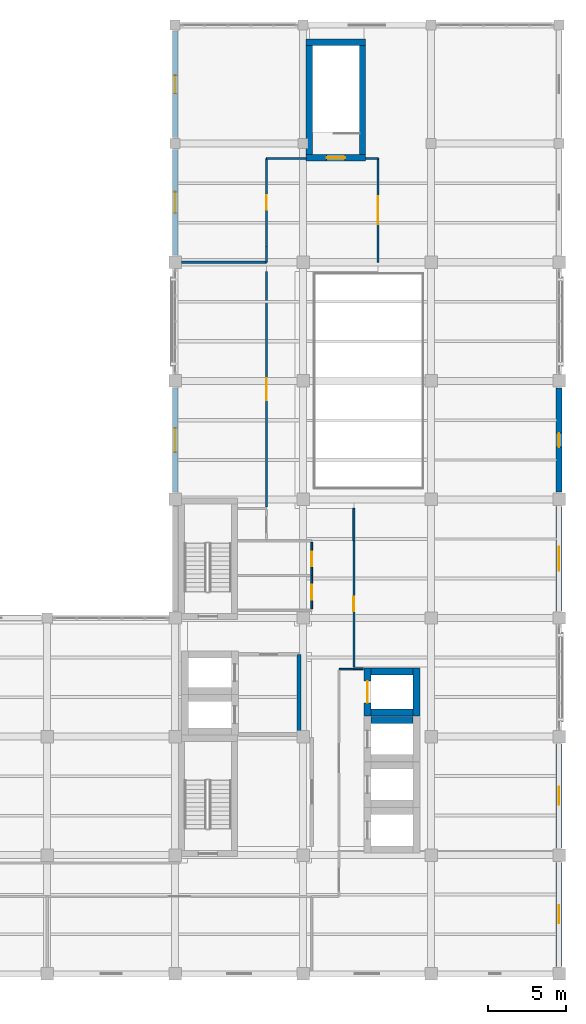
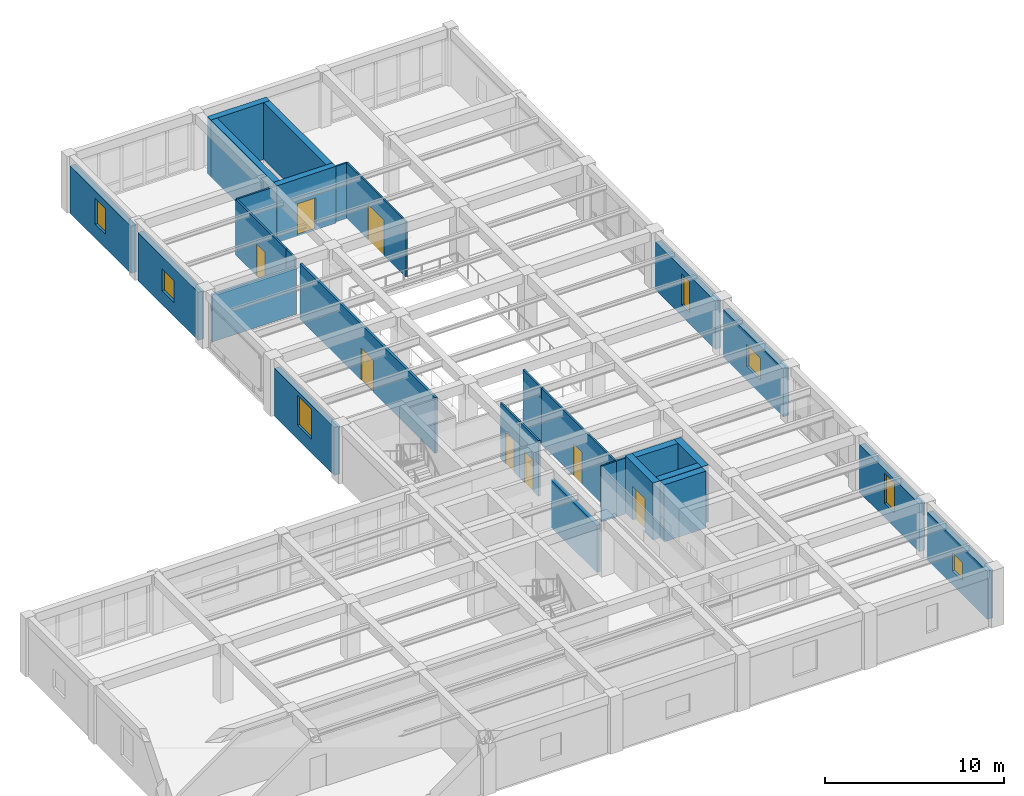
# One storey, part 9 of 15: 30 walls, 8 doors, 7 windows, 15 openings.
"""IFC4 building model written with IfcOpenShell, lengths in metres."""

from ifc_helpers import new_model, si_unit, direction, frame, frame_2d, origin, place, context, subcontext, project, spatial, rectangle, extrude, material, layer, layer_set, type_object, element, fill, save


model = new_model("IFC4")

# Units and contexts
model_context = context("Model", 3, precision=1e-05, world=origin(), true_north=direction((0.0, 1.0)))
body_context = subcontext(model_context, "Body", "Model", "MODEL_VIEW")
ifc_project = project(units=[si_unit("LENGTHUNIT", "METRE"), si_unit("AREAUNIT", "SQUARE_METRE"), si_unit("VOLUMEUNIT", "CUBIC_METRE"), si_unit("PLANEANGLEUNIT", "RADIAN"), si_unit("MASSUNIT", "GRAM", prefix="KILO")], contexts=[model_context])

# Site, building, storey
site_placement = place(None, origin())
site = spatial("IfcSite", under=ifc_project, at=site_placement, CompositionType="ELEMENT")
building_placement = place(site_placement, origin())
building = spatial("IfcBuilding", under=site, at=building_placement, Name="Qandaris Square Conservatory and Botanical Centre", CompositionType="ELEMENT")
storey_placement = place(building_placement, frame((0.0, 0.0, 32.39990234375)))
storey = spatial("IfcBuildingStorey", under=building, at=storey_placement, Name="L07", CompositionType="ELEMENT", Elevation=32.39990234375)

# Wall, opening, door
ifc_material_1 = material(Name="Gypsum Plasterboard", Category="gypsum")
ifc_layer_1 = layer(ifc_material_1, 0.14990234375)
ifc_layer_set_1 = layer_set([ifc_layer_1], Name="Gypsum Plasterboard")
wall_type_1 = type_object("IfcWallType", Name="Acoustic Laboratory Partition 150mm", PredefinedType="PARTITIONING", material=ifc_layer_set_1)
wall_1_placement = place(storey_placement, frame((145.050048828125, 46.510009765625, 0.0), z_axis=(0.0, 0.0, 1.0), x_axis=(0.0, 1.0, 0.0)))
wall_1 = element("IfcWall", 1, at=wall_1_placement, inside=storey, type_object=wall_type_1, Name="Interior Partition IW-L07-0283", PredefinedType="PARTITIONING", context=body_context, shape_type="SweptSolid", body=[
    extrude(rectangle(XDim=15.090087890625, YDim=0.14990234375, at=frame_2d((7.544921875, 0.0))), origin(), (0.0, 0.0, 1.0), 3.80517578125),
])
opening_1_placement = place(wall_1_placement, frame((6.844970703125, 0.0, 0.0)))
opening_1 = element("IfcOpeningElement", 2, at=opening_1_placement, cuts=wall_1, Name="Opening D-LAB1", PredefinedType="OPENING", context=body_context, shape_type="SweptSolid", body=[
    extrude(rectangle(XDim=1.39990234375, YDim=2.199951171875, at=frame_2d((0.699951171875, 1.10009765625))), frame((0.0, 0.0869140625, 0.0), z_axis=(0.0, -1.0, 0.0), x_axis=(1.0, 0.0, 0.0)), (0.0, 0.0, 1.0), 0.173828125),
])
ifc_material_2 = material(Name="Engineered Oak Timber", Category="wood")
door_type_1 = type_object("IfcDoorType", Name="Research Laboratory Leaf-and-Half Door 1400x2200", OperationType="DOUBLE_DOOR_SINGLE_SWING", PredefinedType="DOOR", material=ifc_material_2)
door_1_placement = place(opening_1_placement, frame((1.39990234375, 0.0, 0.0), z_axis=(0.0, 0.0, 1.0), x_axis=(-1.0, 0.0, 0.0)))
door_1 = element("IfcDoor", 3, at=door_1_placement, inside=storey, type_object=door_type_1, Name="DR-0250 Isotope Biogeochemistry Specimen Prep Room Door", OperationType="DOUBLE_DOOR_SINGLE_SWING", OverallHeight=2.199951171875, OverallWidth=1.39990234375, PredefinedType="DOOR", context=body_context, shape_type="SweptSolid", body=[
    extrude(rectangle(XDim=1.39990234375, YDim=2.199951171875, at=frame_2d((0.699951171875, 1.10009765625))), frame((0.0, 0.02490234375, 0.0), z_axis=(0.0, -1.0, 0.0), x_axis=(1.0, 0.0, 0.0)), (0.0, 0.0, 1.0), 0.050048828125),
])
fill(opening_1, door_1)

# Wall
wall_2_placement = place(storey_placement, frame((139.6201171875, 62.199951171875, 0.0), z_axis=(0.0, 0.0, 1.0), x_axis=(1.0, 0.0, 0.0)))
element("IfcWall", 4, at=wall_2_placement, inside=storey, type_object=wall_type_1, Name="Interior Partition IW-L07-0291", PredefinedType="PARTITIONING", context=body_context, shape_type="SweptSolid", body=[
    extrude(rectangle(XDim=5.429931640625, YDim=0.14990234375, at=frame_2d((2.71484375, 0.0))), origin(), (0.0, 0.0, 1.0), 3.22509765625),
])

# Wall, opening, window
ifc_material_3 = material(Name="Precast concrete C40/50", Category="concrete")
ifc_layer_2 = layer(ifc_material_3, 0.360107421875)
ifc_layer_set_2 = layer_set([ifc_layer_2], Name="Precast concrete C40/50")
wall_type_2 = type_object("IfcWallType", Name="Architectural Precast Cladding Wall 360mm", PredefinedType="SOLIDWALL", material=ifc_layer_set_2)
wall_3_placement = place(storey_placement, frame((163.800048828125, 17.06005859375, 0.0), z_axis=(0.0, 0.0, 1.0), x_axis=(0.0, 1.0, 0.0)))
wall_3 = element("IfcWall", 5, at=wall_3_placement, inside=storey, type_object=wall_type_2, Name="Exterior Wall EW-TWR-L07-2-1", PredefinedType="SOLIDWALL", context=body_context, shape_type="SweptSolid", body=[
    extrude(rectangle(XDim=6.679931640625, YDim=0.360107421875, at=frame_2d((3.33984375, 0.0))), origin(), (0.0, 0.0, 1.0), 3.275146484375),
])
opening_2_placement = place(wall_3_placement, frame((2.764892578125, 0.0, 0.949951171875)))
opening_2 = element("IfcOpeningElement", 6, at=opening_2_placement, cuts=wall_3, Name="Opening WN-17", PredefinedType="OPENING", context=body_context, shape_type="SweptSolid", body=[
    extrude(rectangle(XDim=1.14990234375, YDim=1.25, at=frame_2d((0.574951171875, 0.625))), frame((0.0, 0.19189453125, 0.0), z_axis=(0.0, -1.0, 0.0), x_axis=(1.0, 0.0, 0.0)), (0.0, 0.0, 1.0), 0.384033203125),
])
ifc_material_4 = material(Name="Tempered Low-E Glass", Category="glass")
window_type_1 = type_object("IfcWindowType", Name="Solar Control Window 1150x1250", PartitioningType="SINGLE_PANEL", PredefinedType="WINDOW", material=ifc_material_4)
window_1_placement = place(opening_2_placement, origin())
window_1 = element("IfcWindow", 7, at=window_1_placement, inside=storey, type_object=window_type_1, Name="Window EW-TWR-L07-2-1", OverallHeight=1.25, OverallWidth=1.14990234375, PartitioningType="SINGLE_PANEL", PredefinedType="WINDOW", context=body_context, shape_type="SweptSolid", body=[
    extrude(rectangle(XDim=1.14990234375, YDim=1.25, at=frame_2d((0.574951171875, 0.625))), frame((0.0, 0.030029296875, 0.0), z_axis=(0.0, -1.0, 0.0), x_axis=(1.0, 0.0, 0.0)), (0.0, 0.0, 1.0), 0.06005859375),
])
fill(opening_2, window_1)

wall_4_placement = place(storey_placement, frame((163.800048828125, 24.659912109375, 0.0), z_axis=(0.0, 0.0, 1.0), x_axis=(0.0, 1.0, 0.0)))
wall_4 = element("IfcWall", 8, at=wall_4_placement, inside=storey, type_object=wall_type_2, Name="Exterior Wall EW-TWR-L07-2-2", PredefinedType="SOLIDWALL", context=body_context, shape_type="SweptSolid", body=[
    extrude(rectangle(XDim=6.68017578125, YDim=0.360107421875, at=frame_2d((3.340087890625, 0.0))), origin(), (0.0, 0.0, 1.0), 3.275146484375),
])
opening_3_placement = place(wall_4_placement, frame((2.764892578125, 0.0, 0.949951171875)))
opening_3 = element("IfcOpeningElement", 9, at=opening_3_placement, cuts=wall_4, Name="Opening WN-20", PredefinedType="OPENING", context=body_context, shape_type="SweptSolid", body=[
    extrude(rectangle(XDim=1.14990234375, YDim=2.050048828125, at=frame_2d((0.574951171875, 1.02490234375))), frame((0.0, 0.19189453125, 0.0), z_axis=(0.0, -1.0, 0.0), x_axis=(1.0, 0.0, 0.0)), (0.0, 0.0, 1.0), 0.384033203125),
])
window_type_2 = type_object("IfcWindowType", Name="Solar Control Window 1150x2050", PartitioningType="SINGLE_PANEL", PredefinedType="WINDOW", material=ifc_material_4)
window_2_placement = place(opening_3_placement, origin())
window_2 = element("IfcWindow", 10, at=window_2_placement, inside=storey, type_object=window_type_2, Name="Window EW-TWR-L07-2-2", OverallHeight=2.050048828125, OverallWidth=1.14990234375, PartitioningType="SINGLE_PANEL", PredefinedType="WINDOW", context=body_context, shape_type="SweptSolid", body=[
    extrude(rectangle(XDim=1.14990234375, YDim=2.050048828125, at=frame_2d((0.574951171875, 1.02490234375))), frame((0.0, 0.030029296875, 0.0), z_axis=(0.0, -1.0, 0.0), x_axis=(1.0, 0.0, 0.0)), (0.0, 0.0, 1.0), 0.06005859375),
])
fill(opening_3, window_2)

wall_5_placement = place(storey_placement, frame((163.800048828125, 39.860107421875, 0.0), z_axis=(0.0, 0.0, 1.0), x_axis=(0.0, 1.0, 0.0)))
wall_5 = element("IfcWall", 11, at=wall_5_placement, inside=storey, type_object=wall_type_2, Name="Exterior Wall EW-TWR-L07-2-4", PredefinedType="SOLIDWALL", context=body_context, shape_type="SweptSolid", body=[
    extrude(rectangle(XDim=6.679931640625, YDim=0.360107421875, at=frame_2d((3.33984375, 0.0))), origin(), (0.0, 0.0, 1.0), 3.275146484375),
])
opening_4_placement = place(wall_5_placement, frame((2.56494140625, 0.0, 0.949951171875)))
opening_4 = element("IfcOpeningElement", 12, at=opening_4_placement, cuts=wall_5, Name="Opening WN-26", PredefinedType="OPENING", context=body_context, shape_type="SweptSolid", body=[
    extrude(rectangle(XDim=1.550048828125, YDim=1.5, at=frame_2d((0.77490234375, 0.75))), frame((0.0, 0.19189453125, 0.0), z_axis=(0.0, -1.0, 0.0), x_axis=(1.0, 0.0, 0.0)), (0.0, 0.0, 1.0), 0.384033203125),
])
window_type_3 = type_object("IfcWindowType", Name="Solar Control Window 1550x1500", PartitioningType="DOUBLE_PANEL_VERTICAL", PredefinedType="WINDOW", material=ifc_material_4)
window_3_placement = place(opening_4_placement, origin())
window_3 = element("IfcWindow", 13, at=window_3_placement, inside=storey, type_object=window_type_3, Name="Window EW-TWR-L07-2-4", OverallHeight=1.5, OverallWidth=1.550048828125, PartitioningType="DOUBLE_PANEL_VERTICAL", PredefinedType="WINDOW", context=body_context, shape_type="SweptSolid", body=[
    extrude(rectangle(XDim=1.550048828125, YDim=1.5, at=frame_2d((0.77490234375, 0.75))), frame((0.0, 0.030029296875, 0.0), z_axis=(0.0, -1.0, 0.0), x_axis=(1.0, 0.0, 0.0)), (0.0, 0.0, 1.0), 0.06005859375),
])
fill(opening_4, window_3)

wall_6_placement = place(storey_placement, frame((163.800048828125, 47.4599609375, 0.0), z_axis=(0.0, 0.0, 1.0), x_axis=(0.0, 1.0, 0.0)))
wall_6 = element("IfcWall", 14, at=wall_6_placement, inside=storey, type_object=wall_type_2, Name="Exterior Wall EW-TWR-L07-2-5", PredefinedType="SOLIDWALL", context=body_context, shape_type="SweptSolid", body=[
    extrude(rectangle(XDim=6.679931640625, YDim=0.360107421875, at=frame_2d((3.33984375, 0.0))), origin(), (0.0, 0.0, 1.0), 3.275146484375),
])
opening_5_placement = place(wall_6_placement, frame((2.889892578125, 0.0, 0.75)))
opening_5 = element("IfcOpeningElement", 15, at=opening_5_placement, cuts=wall_6, Name="Opening WN-01", PredefinedType="OPENING", context=body_context, shape_type="SweptSolid", body=[
    extrude(rectangle(XDim=0.89990234375, YDim=2.10009765625, at=frame_2d((0.449951171875, 1.050048828125))), frame((0.0, 0.19189453125, 0.0), z_axis=(0.0, -1.0, 0.0), x_axis=(1.0, 0.0, 0.0)), (0.0, 0.0, 1.0), 0.384033203125),
])
window_type_4 = type_object("IfcWindowType", Name="Deep-Set Solar Slot Window 900x2100", PartitioningType="SINGLE_PANEL", PredefinedType="WINDOW", material=ifc_material_4)
window_4_placement = place(opening_5_placement, origin())
window_4 = element("IfcWindow", 16, at=window_4_placement, inside=storey, type_object=window_type_4, Name="Window EW-TWR-L07-2-5", OverallHeight=2.10009765625, OverallWidth=0.89990234375, PartitioningType="SINGLE_PANEL", PredefinedType="WINDOW", context=body_context, shape_type="SweptSolid", body=[
    extrude(rectangle(XDim=0.89990234375, YDim=2.10009765625, at=frame_2d((0.449951171875, 1.050048828125))), frame((0.0, 0.030029296875, 0.0), z_axis=(0.0, -1.0, 0.0), x_axis=(1.0, 0.0, 0.0)), (0.0, 0.0, 1.0), 0.06005859375),
])
fill(opening_5, window_4)

wall_7_placement = place(storey_placement, frame((139.199951171875, 77.014892578125, 0.0), z_axis=(0.0, 0.0, 1.0), x_axis=(0.0, -1.0, 0.0)))
wall_7 = element("IfcWall", 17, at=wall_7_placement, inside=storey, type_object=wall_type_2, Name="Exterior Wall EW-TWR-L07-4-1", PredefinedType="SOLIDWALL", context=body_context, shape_type="SweptSolid", body=[
    extrude(rectangle(XDim=6.829833984375, YDim=0.360107421875, at=frame_2d((3.4150390625, 0.0))), origin(), (0.0, 0.0, 1.0), 3.22509765625),
])
opening_6_placement = place(wall_7_placement, frame((2.840087890625, 0.0, 0.949951171875)))
opening_6 = element("IfcOpeningElement", 18, at=opening_6_placement, cuts=wall_7, Name="Opening WN-19", PredefinedType="OPENING", context=body_context, shape_type="SweptSolid", body=[
    extrude(rectangle(XDim=1.14990234375, YDim=1.75, at=frame_2d((0.574951171875, 0.875))), frame((0.0, 0.19189453125, 0.0), z_axis=(0.0, -1.0, 0.0), x_axis=(1.0, 0.0, 0.0)), (0.0, 0.0, 1.0), 0.384033203125),
])
window_type_5 = type_object("IfcWindowType", Name="Solar Control Window 1150x1750", PartitioningType="SINGLE_PANEL", PredefinedType="WINDOW", material=ifc_material_4)
window_5_placement = place(opening_6_placement, origin())
window_5 = element("IfcWindow", 19, at=window_5_placement, inside=storey, type_object=window_type_5, Name="Window EW-TWR-L07-4-1", OverallHeight=1.75, OverallWidth=1.14990234375, PartitioningType="SINGLE_PANEL", PredefinedType="WINDOW", context=body_context, shape_type="SweptSolid", body=[
    extrude(rectangle(XDim=1.14990234375, YDim=1.75, at=frame_2d((0.574951171875, 0.875))), frame((0.0, 0.030029296875, 0.0), z_axis=(0.0, -1.0, 0.0), x_axis=(1.0, 0.0, 0.0)), (0.0, 0.0, 1.0), 0.06005859375),
])
fill(opening_6, window_5)

wall_8_placement = place(storey_placement, frame((139.199951171875, 69.4150390625, 0.0), z_axis=(0.0, 0.0, 1.0), x_axis=(0.0, -1.0, 0.0)))
wall_8 = element("IfcWall", 20, at=wall_8_placement, inside=storey, type_object=wall_type_2, Name="Exterior Wall EW-TWR-L07-4-2", PredefinedType="SOLIDWALL", context=body_context, shape_type="SweptSolid", body=[
    extrude(rectangle(XDim=6.755126953125, YDim=0.360107421875, at=frame_2d((3.37744140625, 0.0))), origin(), (0.0, 0.0, 1.0), 3.275146484375),
])
opening_7_placement = place(wall_8_placement, frame((2.702392578125, 0.0, 0.949951171875)))
opening_7 = element("IfcOpeningElement", 21, at=opening_7_placement, cuts=wall_8, Name="Opening WN-22", PredefinedType="OPENING", context=body_context, shape_type="SweptSolid", body=[
    extrude(rectangle(XDim=1.35009765625, YDim=1.5, at=frame_2d((0.675048828125, 0.75))), frame((0.0, 0.19189453125, 0.0), z_axis=(0.0, -1.0, 0.0), x_axis=(1.0, 0.0, 0.0)), (0.0, 0.0, 1.0), 0.384033203125),
])
window_type_6 = type_object("IfcWindowType", Name="Solar Control Window 1350x1500", PartitioningType="SINGLE_PANEL", PredefinedType="WINDOW", material=ifc_material_4)
window_6_placement = place(opening_7_placement, origin())
window_6 = element("IfcWindow", 22, at=window_6_placement, inside=storey, type_object=window_type_6, Name="Window EW-TWR-L07-4-2", OverallHeight=1.5, OverallWidth=1.35009765625, PartitioningType="SINGLE_PANEL", PredefinedType="WINDOW", context=body_context, shape_type="SweptSolid", body=[
    extrude(rectangle(XDim=1.35009765625, YDim=1.5, at=frame_2d((0.675048828125, 0.75))), frame((0.0, 0.030029296875, 0.0), z_axis=(0.0, -1.0, 0.0), x_axis=(1.0, 0.0, 0.0)), (0.0, 0.0, 1.0), 0.06005859375),
])
fill(opening_7, window_6)

wall_9_placement = place(storey_placement, frame((139.199951171875, 54.139892578125, 0.0), z_axis=(0.0, 0.0, 1.0), x_axis=(0.0, -1.0, 0.0)))
wall_9 = element("IfcWall", 23, at=wall_9_placement, inside=storey, type_object=wall_type_2, Name="Exterior Wall EW-TWR-L07-4-4", PredefinedType="SOLIDWALL", context=body_context, shape_type="SweptSolid", body=[
    extrude(rectangle(XDim=6.679931640625, YDim=0.360107421875, at=frame_2d((3.33984375, 0.0))), origin(), (0.0, 0.0, 1.0), 3.275146484375),
])
opening_8_placement = place(wall_9_placement, frame((2.56494140625, 0.0, 0.949951171875)))
opening_8 = element("IfcOpeningElement", 24, at=opening_8_placement, cuts=wall_9, Name="Opening WN-28", PredefinedType="OPENING", context=body_context, shape_type="SweptSolid", body=[
    extrude(rectangle(XDim=1.550048828125, YDim=2.050048828125, at=frame_2d((0.77490234375, 1.02490234375))), frame((0.0, 0.19189453125, 0.0), z_axis=(0.0, -1.0, 0.0), x_axis=(1.0, 0.0, 0.0)), (0.0, 0.0, 1.0), 0.384033203125),
])
window_type_7 = type_object("IfcWindowType", Name="Solar Control Window 1550x2050", PartitioningType="DOUBLE_PANEL_VERTICAL", PredefinedType="WINDOW", material=ifc_material_4)
window_7_placement = place(opening_8_placement, origin())
window_7 = element("IfcWindow", 25, at=window_7_placement, inside=storey, type_object=window_type_7, Name="Window EW-TWR-L07-4-4", OverallHeight=2.050048828125, OverallWidth=1.550048828125, PartitioningType="DOUBLE_PANEL_VERTICAL", PredefinedType="WINDOW", context=body_context, shape_type="SweptSolid", body=[
    extrude(rectangle(XDim=1.550048828125, YDim=2.050048828125, at=frame_2d((0.77490234375, 1.02490234375))), frame((0.0, 0.030029296875, 0.0), z_axis=(0.0, -1.0, 0.0), x_axis=(1.0, 0.0, 0.0)), (0.0, 0.0, 1.0), 0.06005859375),
])
fill(opening_8, window_7)

# Walls
ifc_material_5 = material(Name="Concrete C40/50", Category="concrete")
ifc_layer_3 = layer(ifc_material_5, 0.25)
ifc_layer_set_3 = layer_set([ifc_layer_3], Name="Concrete C40/50")
wall_type_3 = type_object("IfcWallType", Name="Firefighting Lobby Compartment Wall 250mm", PredefinedType="SOLIDWALL", material=ifc_layer_set_3)
wall_10_placement = place(storey_placement, frame((147.125, 31.925048828125, 0.0), z_axis=(0.0, 0.0, 1.0), x_axis=(0.0, 1.0, 0.0)))
element("IfcWall", 26, at=wall_10_placement, inside=storey, type_object=wall_type_3, Name="Firefighting Lobby Wall East (L07)", PredefinedType="SOLIDWALL", context=body_context, shape_type="SweptSolid", body=[
    extrude(rectangle(XDim=5.14990234375, YDim=0.25, at=frame_2d((2.574951171875, 0.0))), origin(), (0.0, 0.0, 1.0), 3.22509765625),
])
ifc_layer_4 = layer(ifc_material_4, 0.10009765625)
ifc_layer_set_4 = layer_set([ifc_layer_4], Name="Tempered Low-E Glass")
wall_type_4 = type_object("IfcWallType", Name="Framed Acoustic Glazed Gallery Screen 100mm", PredefinedType="PARTITIONING", material=ifc_layer_set_4)
wall_11_placement = place(storey_placement, frame((149.699951171875, 36.125, 0.0), z_axis=(0.0, 0.0, 1.0), x_axis=(1.0, 0.0, 0.0)))
element("IfcWall", 27, at=wall_11_placement, inside=storey, type_object=wall_type_4, Name="Interior Partition IW-L07-0268", PredefinedType="PARTITIONING", context=body_context, shape_type="SweptSolid", body=[
    extrude(rectangle(XDim=0.949951171875, YDim=0.10009765625, at=frame_2d((0.47509765625, 0.0))), origin(), (0.0, 0.0, 1.0), 3.80517578125),
])
wall_12_placement = place(storey_placement, frame((151.39990234375, 68.85009765625, 0.0), z_axis=(0.0, 0.0, 1.0), x_axis=(1.0, 0.0, 0.0)))
element("IfcWall", 28, at=wall_12_placement, inside=storey, type_object=wall_type_4, Name="Interior Partition IW-L07-0287", PredefinedType="PARTITIONING", context=body_context, shape_type="SweptSolid", body=[
    extrude(rectangle(XDim=0.800048828125, YDim=0.10009765625, at=frame_2d((0.39990234375, 0.0))), origin(), (0.0, 0.0, 1.0), 3.80517578125),
])

# Wall, opening, door
wall_13_placement = place(storey_placement, frame((152.199951171875, 68.85009765625, 0.0), z_axis=(0.0, 0.0, 1.0), x_axis=(0.0, -1.0, 0.0)))
wall_13 = element("IfcWall", 29, at=wall_13_placement, inside=storey, type_object=wall_type_4, Name="Interior Partition IW-L07-0288", PredefinedType="PARTITIONING", context=body_context, shape_type="SweptSolid", body=[
    extrude(rectangle(XDim=6.650146484375, YDim=0.10009765625, at=frame_2d((3.3251953125, 0.0))), origin(), (0.0, 0.0, 1.0), 3.80517578125),
])
opening_9_placement = place(wall_13_placement, frame((2.425048828125, 0.0, 0.0)))
opening_9 = element("IfcOpeningElement", 30, at=opening_9_placement, cuts=wall_13, Name="Opening D-GL1", PredefinedType="OPENING", context=body_context, shape_type="SweptSolid", body=[
    extrude(rectangle(XDim=1.800048828125, YDim=2.39990234375, at=frame_2d((0.89990234375, 1.199951171875))), frame((0.0, 0.06201171875, 0.0), z_axis=(0.0, -1.0, 0.0), x_axis=(1.0, 0.0, 0.0)), (0.0, 0.0, 1.0), 0.1240234375),
])
ifc_material_6 = material(Name="Anodised Aluminium", Category="aluminium")
door_type_2 = type_object("IfcDoorType", Name="Visitor Gallery Glazed Double Door 1800x2400", OperationType="DOUBLE_DOOR_SINGLE_SWING", PredefinedType="DOOR", material=ifc_material_6)
door_2_placement = place(opening_9_placement, frame((1.800048828125, 0.0, 0.0), z_axis=(0.0, 0.0, 1.0), x_axis=(-1.0, 0.0, 0.0)))
door_2 = element("IfcDoor", 31, at=door_2_placement, inside=storey, type_object=door_type_2, Name="DR-0247 North Terrace Lounge L07 Door", OperationType="DOUBLE_DOOR_SINGLE_SWING", OverallHeight=2.39990234375, OverallWidth=1.800048828125, PredefinedType="DOOR", context=body_context, shape_type="SweptSolid", body=[
    extrude(rectangle(XDim=1.800048828125, YDim=2.39990234375, at=frame_2d((0.89990234375, 1.199951171875))), frame((0.0, 0.02490234375, 0.0), z_axis=(0.0, -1.0, 0.0), x_axis=(1.0, 0.0, 0.0)), (0.0, 0.0, 1.0), 0.050048828125),
])
fill(opening_9, door_2)

# Walls
ifc_material_7 = material(Name="Concrete C50/60", Category="concrete")
ifc_layer_5 = layer(ifc_material_7, 0.449951171875)
ifc_layer_set_5 = layer_set([ifc_layer_5], Name="Concrete C50/60")
wall_type_5 = type_object("IfcWallType", Name="RC Coupled Core Shear Wall 450mm", PredefinedType="SHEAR", material=ifc_layer_set_5)
for number, where, z_axis, x_axis, name in (
    (32, (151.75, 32.864990234375, 0.0), (0.0, 0.0, 1.0), (1.0, 0.0, 0.0), "Lift PL3 Shaft Wall North (L07)"),
    (33, (151.75, 33.3349609375, 0.0), (0.0, 0.0, 1.0), (1.0, 0.0, 0.0), "Lift GL1 Shaft Wall South (L07)"),
    (34, (151.75, 35.985107421875, 0.0), (0.0, 0.0, 1.0), (1.0, 0.0, 0.0), "Lift GL1 Shaft Wall North (L07)"),
):
    element("IfcWall", number, at=place(storey_placement, frame(where, z_axis=z_axis, x_axis=x_axis)), inside=storey, type_object=wall_type_5, Name=name, PredefinedType="SHEAR", context=body_context, shape_type="SweptSolid", body=[
        extrude(rectangle(XDim=2.699951171875, YDim=0.449951171875, at=frame_2d((1.35009765625, 0.0))), origin(), (0.0, 0.0, 1.0), 3.89013671875),
    ])

# Wall, opening, door
wall_14_placement = place(storey_placement, frame((151.52490234375, 33.110107421875, 0.0), z_axis=(0.0, 0.0, 1.0), x_axis=(0.0, 1.0, 0.0)))
wall_14 = element("IfcWall", 35, at=wall_14_placement, inside=storey, type_object=wall_type_5, Name="Lift GL1 Shaft Wall West (L07)", PredefinedType="SHEAR", context=body_context, shape_type="SweptSolid", body=[
    extrude(rectangle(XDim=3.099853515625, YDim=0.449951171875, at=frame_2d((1.5498046875, 0.0))), origin(), (0.0, 0.0, 1.0), 3.89013671875),
])
opening_10_placement = place(wall_14_placement, frame((0.85009765625, 0.0, 0.0)))
opening_10 = element("IfcOpeningElement", 36, at=opening_10_placement, cuts=wall_14, Name="Opening LD-GDS", PredefinedType="OPENING", context=body_context, shape_type="SweptSolid", body=[
    extrude(rectangle(XDim=1.39990234375, YDim=2.300048828125, at=frame_2d((0.699951171875, 1.14990234375))), frame((0.0, 0.23681640625, 0.0), z_axis=(0.0, -1.0, 0.0), x_axis=(1.0, 0.0, 0.0)), (0.0, 0.0, 1.0), 0.473876953125),
])
ifc_material_8 = material(Name="Steel S355", Category="steel")
door_type_3 = type_object("IfcDoorType", Name="Goods & Herbarium Lift Sliding Landing Door 1400x2300", OperationType="DOUBLE_DOOR_SLIDING", PredefinedType="DOOR", material=ifc_material_8)
door_3_placement = place(opening_10_placement, origin())
door_3 = element("IfcDoor", 37, at=door_3_placement, inside=storey, type_object=door_type_3, Name="DR-0264 Lift GL1 Landing Door (L07)", OperationType="DOUBLE_DOOR_SLIDING", OverallHeight=2.300048828125, OverallWidth=1.39990234375, PredefinedType="DOOR", context=body_context, shape_type="SweptSolid", body=[
    extrude(rectangle(XDim=1.39990234375, YDim=2.300048828125, at=frame_2d((0.699951171875, 1.14990234375))), frame((0.0, 0.02490234375, 0.0), z_axis=(0.0, -1.0, 0.0), x_axis=(1.0, 0.0, 0.0)), (0.0, 0.0, 1.0), 0.050048828125),
])
fill(opening_10, door_3)

# Wall
wall_15_placement = place(storey_placement, frame((154.675048828125, 33.110107421875, 0.0), z_axis=(0.0, 0.0, 1.0), x_axis=(0.0, 1.0, 0.0)))
element("IfcWall", 38, at=wall_15_placement, inside=storey, type_object=wall_type_5, Name="Lift GL1 Shaft Wall East (L07)", PredefinedType="SHEAR", context=body_context, shape_type="SweptSolid", body=[
    extrude(rectangle(XDim=3.099853515625, YDim=0.449951171875, at=frame_2d((1.5498046875, 0.0))), origin(), (0.0, 0.0, 1.0), 3.89013671875),
])

# Wall, opening, door
ifc_layer_6 = layer(ifc_material_7, 0.39990234375)
ifc_layer_set_6 = layer_set([ifc_layer_6], Name="Concrete C50/60")
wall_type_6 = type_object("IfcWallType", Name="RC Stair Core Shear Wall 400mm", PredefinedType="SHEAR", material=ifc_layer_set_6)
wall_16_placement = place(storey_placement, frame((147.60009765625, 68.89990234375, 0.0), z_axis=(0.0, 0.0, 1.0), x_axis=(1.0, 0.0, 0.0)))
wall_16 = element("IfcWall", 39, at=wall_16_placement, inside=storey, type_object=wall_type_6, Name="ST-3 Core Shear Wall South (L07)", PredefinedType="SHEAR", context=body_context, shape_type="SweptSolid", body=[
    extrude(rectangle(XDim=3.7998046875, YDim=0.39990234375, at=frame_2d((1.89990234375, 0.0))), origin(), (0.0, 0.0, 1.0), 3.89013671875),
])
opening_11_placement = place(wall_16_placement, frame((1.300048828125, 0.0, 0.0)))
opening_11 = element("IfcOpeningElement", 40, at=opening_11_placement, cuts=wall_16, Name="Opening D-ST1", PredefinedType="OPENING", context=body_context, shape_type="SweptSolid", body=[
    extrude(rectangle(XDim=1.199951171875, YDim=2.199951171875, at=frame_2d((0.60009765625, 1.10009765625))), frame((0.0, 0.2119140625, 0.0), z_axis=(0.0, -1.0, 0.0), x_axis=(1.0, 0.0, 0.0)), (0.0, 0.0, 1.0), 0.423828125),
])
door_type_4 = type_object("IfcDoorType", Name="Exit Stair Core Fire Door 1200x2200", OperationType="NOTDEFINED", PredefinedType="DOOR", material=ifc_material_8)
door_4_placement = place(opening_11_placement, origin())
door_4 = element("IfcDoor", 41, at=door_4_placement, inside=storey, type_object=door_type_4, Name="DR-0258 ST-3 Stair Core Door (L07)", OperationType="SINGLE_SWING_LEFT", OverallHeight=2.199951171875, OverallWidth=1.199951171875, PredefinedType="DOOR", context=body_context, shape_type="SweptSolid", body=[
    extrude(rectangle(XDim=1.199951171875, YDim=2.199951171875, at=frame_2d((0.60009765625, 1.10009765625))), frame((0.0, 0.02490234375, 0.0), z_axis=(0.0, -1.0, 0.0), x_axis=(1.0, 0.0, 0.0)), (0.0, 0.0, 1.0), 0.050048828125),
])
fill(opening_11, door_4)

# Walls
wall_17_placement = place(storey_placement, frame((147.60009765625, 76.300048828125, 0.0), z_axis=(0.0, 0.0, 1.0), x_axis=(1.0, 0.0, 0.0)))
element("IfcWall", 42, at=wall_17_placement, inside=storey, type_object=wall_type_6, Name="ST-3 Core Shear Wall North (L07)", PredefinedType="SHEAR", context=body_context, shape_type="SweptSolid", body=[
    extrude(rectangle(XDim=3.7998046875, YDim=0.39990234375, at=frame_2d((1.89990234375, 0.0))), origin(), (0.0, 0.0, 1.0), 3.89013671875),
])
for number, where, z_axis, x_axis, name in (
    (43, (147.800048828125, 69.10009765625, 0.0), (0.0, 0.0, 1.0), (0.0, 1.0, 0.0), "ST-3 Core Shear Wall West (L07)"),
    (44, (151.199951171875, 69.10009765625, 0.0), (0.0, 0.0, 1.0), (0.0, 1.0, 0.0), "ST-3 Core Shear Wall East (L07)"),
):
    element("IfcWall", number, at=place(storey_placement, frame(where, z_axis=z_axis, x_axis=x_axis)), inside=storey, type_object=wall_type_6, Name=name, PredefinedType="SHEAR", context=body_context, shape_type="SweptSolid", body=[
        extrude(rectangle(XDim=7.0, YDim=0.39990234375, at=frame_2d((3.5, 0.0))), origin(), (0.0, 0.0, 1.0), 3.89013671875),
    ])
ifc_layer_7 = layer(ifc_material_1, 0.1201171875)
ifc_layer_set_7 = layer_set([ifc_layer_7], Name="Gypsum Plasterboard")
wall_type_7 = type_object("IfcWallType", Name="Standard Research Partition 120mm", PredefinedType="PARTITIONING", material=ifc_layer_set_7)
wall_18_placement = place(storey_placement, frame((150.64990234375, 36.14990234375, 0.0), z_axis=(0.0, 0.0, 1.0), x_axis=(1.0, 0.0, 0.0)))
element("IfcWall", 45, at=wall_18_placement, inside=storey, type_object=wall_type_7, Name="Interior Partition IW-L07-0269", PredefinedType="PARTITIONING", context=body_context, shape_type="SweptSolid", body=[
    extrude(rectangle(XDim=0.6201171875, YDim=0.1201171875, at=frame_2d((0.31005859375, 0.0))), origin(), (0.0, 0.0, 1.0), 3.80517578125),
])

# Wall, opening, door
wall_19_placement = place(storey_placement, frame((147.949951171875, 42.1201171875, 0.0), z_axis=(0.0, 0.0, 1.0), x_axis=(0.0, -1.0, 0.0)))
wall_19 = element("IfcWall", 46, at=wall_19_placement, inside=storey, type_object=wall_type_7, Name="Interior Partition IW-L07-0271", PredefinedType="PARTITIONING", context=body_context, shape_type="SweptSolid", body=[
    extrude(rectangle(XDim=2.130126953125, YDim=0.1201171875, at=frame_2d((1.06494140625, 0.0))), origin(), (0.0, 0.0, 1.0), 3.80517578125),
])
opening_12_placement = place(wall_19_placement, frame((0.590087890625, 0.0, 0.0)))
opening_12 = element("IfcOpeningElement", 47, at=opening_12_placement, cuts=wall_19, Name="Opening D-WC1", PredefinedType="OPENING", context=body_context, shape_type="SweptSolid", body=[
    extrude(rectangle(XDim=0.949951171875, YDim=2.14990234375, at=frame_2d((0.47509765625, 1.074951171875))), frame((0.0, 0.072021484375, 0.0), z_axis=(0.0, -1.0, 0.0), x_axis=(1.0, 0.0, 0.0)), (0.0, 0.0, 1.0), 0.14404296875),
])
door_type_5 = type_object("IfcDoorType", Name="Accessible Sanitary Room Door 950x2150", OperationType="NOTDEFINED", PredefinedType="DOOR", material=ifc_material_2)
door_5_placement = place(opening_12_placement, origin())
door_5 = element("IfcDoor", 48, at=door_5_placement, inside=storey, type_object=door_type_5, Name="DR-0259 Accessible Toilet L07 Door", OperationType="SINGLE_SWING_RIGHT", OverallHeight=2.14990234375, OverallWidth=0.949951171875, PredefinedType="DOOR", context=body_context, shape_type="SweptSolid", body=[
    extrude(rectangle(XDim=0.949951171875, YDim=2.14990234375, at=frame_2d((0.47509765625, 1.074951171875))), frame((0.0, 0.02490234375, 0.0), z_axis=(0.0, -1.0, 0.0), x_axis=(1.0, 0.0, 0.0)), (0.0, 0.0, 1.0), 0.050048828125),
])
fill(opening_12, door_5)

wall_20_placement = place(storey_placement, frame((147.949951171875, 44.25, 0.0), z_axis=(0.0, 0.0, 1.0), x_axis=(0.0, -1.0, 0.0)))
wall_20 = element("IfcWall", 49, at=wall_20_placement, inside=storey, type_object=wall_type_7, Name="Interior Partition IW-L07-0273", PredefinedType="PARTITIONING", context=body_context, shape_type="SweptSolid", body=[
    extrude(rectangle(XDim=2.1298828125, YDim=0.1201171875, at=frame_2d((1.06494140625, 0.0))), origin(), (0.0, 0.0, 1.0), 3.80517578125),
])
opening_13_placement = place(wall_20_placement, frame((0.590087890625, 0.0, 0.0)))
opening_13 = element("IfcOpeningElement", 50, at=opening_13_placement, cuts=wall_20, Name="Opening D-WC1", PredefinedType="OPENING", context=body_context, shape_type="SweptSolid", body=[
    extrude(rectangle(XDim=0.949951171875, YDim=2.14990234375, at=frame_2d((0.47509765625, 1.074951171875))), frame((0.0, 0.072021484375, 0.0), z_axis=(0.0, -1.0, 0.0), x_axis=(1.0, 0.0, 0.0)), (0.0, 0.0, 1.0), 0.14404296875),
])
door_6_placement = place(opening_13_placement, origin())
door_6 = element("IfcDoor", 51, at=door_6_placement, inside=storey, type_object=door_type_5, Name="DR-0260 Staff Male Toilet L07 Door", OperationType="SINGLE_SWING_LEFT", OverallHeight=2.14990234375, OverallWidth=0.949951171875, PredefinedType="DOOR", context=body_context, shape_type="SweptSolid", body=[
    extrude(rectangle(XDim=0.949951171875, YDim=2.14990234375, at=frame_2d((0.47509765625, 1.074951171875))), frame((0.0, 0.02490234375, 0.0), z_axis=(0.0, -1.0, 0.0), x_axis=(1.0, 0.0, 0.0)), (0.0, 0.0, 1.0), 0.050048828125),
])
fill(opening_13, door_6)

# Wall
wall_21_placement = place(storey_placement, frame((150.64990234375, 46.419921875, 0.0), z_axis=(0.0, 0.0, 1.0), x_axis=(0.0, -1.0, 0.0)))
element("IfcWall", 52, at=wall_21_placement, inside=storey, type_object=wall_type_7, Name="Interior Partition IW-L07-0281", PredefinedType="PARTITIONING", context=body_context, shape_type="SweptSolid", body=[
    extrude(rectangle(XDim=2.079833984375, YDim=0.1201171875, at=frame_2d((1.0400390625, 0.0))), origin(), (0.0, 0.0, 1.0), 3.80517578125),
])

# Wall, opening, door
wall_22_placement = place(storey_placement, frame((150.64990234375, 44.340087890625, 0.0), z_axis=(0.0, 0.0, 1.0), x_axis=(0.0, -1.0, 0.0)))
wall_22 = element("IfcWall", 53, at=wall_22_placement, inside=storey, type_object=wall_type_7, Name="Interior Partition IW-L07-0282", PredefinedType="PARTITIONING", context=body_context, shape_type="SweptSolid", body=[
    extrude(rectangle(XDim=8.090087890625, YDim=0.1201171875, at=frame_2d((4.044921875, 0.0))), origin(), (0.0, 0.0, 1.0), 3.80517578125),
])
opening_14_placement = place(wall_22_placement, frame((3.570068359375, 0.0, 0.0)))
opening_14 = element("IfcOpeningElement", 54, at=opening_14_placement, cuts=wall_22, Name="Opening D-OFF1", PredefinedType="OPENING", context=body_context, shape_type="SweptSolid", body=[
    extrude(rectangle(XDim=0.949951171875, YDim=2.199951171875, at=frame_2d((0.47509765625, 1.10009765625))), frame((0.0, 0.072021484375, 0.0), z_axis=(0.0, -1.0, 0.0), x_axis=(1.0, 0.0, 0.0)), (0.0, 0.0, 1.0), 0.14404296875),
])
door_type_6 = type_object("IfcDoorType", Name="Research Office Acoustic Door 950x2200", OperationType="NOTDEFINED", PredefinedType="DOOR", material=ifc_material_2)
door_7_placement = place(opening_14_placement, origin())
door_7 = element("IfcDoor", 55, at=door_7_placement, inside=storey, type_object=door_type_6, Name="DR-0253 Canopy Microclimate Write-Up Studio Door", OperationType="SINGLE_SWING_LEFT", OverallHeight=2.199951171875, OverallWidth=0.949951171875, PredefinedType="DOOR", context=body_context, shape_type="SweptSolid", body=[
    extrude(rectangle(XDim=0.949951171875, YDim=2.199951171875, at=frame_2d((0.47509765625, 1.10009765625))), frame((0.0, 0.02490234375, 0.0), z_axis=(0.0, -1.0, 0.0), x_axis=(1.0, 0.0, 0.0)), (0.0, 0.0, 1.0), 0.050048828125),
])
fill(opening_14, door_7)

# Wall
wall_23_placement = place(storey_placement, frame((145.050048828125, 62.199951171875, 0.0), z_axis=(0.0, 0.0, 1.0), x_axis=(0.0, 1.0, 0.0)))
element("IfcWall", 56, at=wall_23_placement, inside=storey, type_object=wall_type_7, Name="Interior Partition IW-L07-0284", PredefinedType="PARTITIONING", context=body_context, shape_type="SweptSolid", body=[
    extrude(rectangle(XDim=1.0, YDim=0.1201171875, at=frame_2d((0.5, 0.0))), origin(), (0.0, 0.0, 1.0), 3.80517578125),
])

# Wall, opening, door
wall_24_placement = place(storey_placement, frame((145.050048828125, 63.199951171875, 0.0), z_axis=(0.0, 0.0, 1.0), x_axis=(0.0, 1.0, 0.0)))
wall_24 = element("IfcWall", 57, at=wall_24_placement, inside=storey, type_object=wall_type_7, Name="Interior Partition IW-L07-0285", PredefinedType="PARTITIONING", context=body_context, shape_type="SweptSolid", body=[
    extrude(rectangle(XDim=5.650146484375, YDim=0.1201171875, at=frame_2d((2.8251953125, 0.0))), origin(), (0.0, 0.0, 1.0), 3.80517578125),
])
opening_15_placement = place(wall_24_placement, frame((2.35009765625, 0.0, 0.0)))
opening_15 = element("IfcOpeningElement", 58, at=opening_15_placement, cuts=wall_24, Name="Opening D-OFF1", PredefinedType="OPENING", context=body_context, shape_type="SweptSolid", body=[
    extrude(rectangle(XDim=0.949951171875, YDim=2.199951171875, at=frame_2d((0.47509765625, 1.10009765625))), frame((0.0, 0.072021484375, 0.0), z_axis=(0.0, -1.0, 0.0), x_axis=(1.0, 0.0, 0.0)), (0.0, 0.0, 1.0), 0.14404296875),
])
door_8_placement = place(opening_15_placement, origin())
door_8 = element("IfcDoor", 59, at=door_8_placement, inside=storey, type_object=door_type_6, Name="DR-0254 Bioinformatics Collaborative Seminar Room Door", OperationType="SINGLE_SWING_RIGHT", OverallHeight=2.199951171875, OverallWidth=0.949951171875, PredefinedType="DOOR", context=body_context, shape_type="SweptSolid", body=[
    extrude(rectangle(XDim=0.949951171875, YDim=2.199951171875, at=frame_2d((0.47509765625, 1.10009765625))), frame((0.0, 0.02490234375, 0.0), z_axis=(0.0, -1.0, 0.0), x_axis=(1.0, 0.0, 0.0)), (0.0, 0.0, 1.0), 0.050048828125),
])
fill(opening_15, door_8)

# Wall
wall_25_placement = place(storey_placement, frame((145.050048828125, 68.85009765625, 0.0), z_axis=(0.0, 0.0, 1.0), x_axis=(1.0, 0.0, 0.0)))
element("IfcWall", 60, at=wall_25_placement, inside=storey, type_object=wall_type_7, Name="Interior Partition IW-L07-0286", PredefinedType="PARTITIONING", context=body_context, shape_type="SweptSolid", body=[
    extrude(rectangle(XDim=2.550048828125, YDim=0.1201171875, at=frame_2d((1.27490234375, 0.0))), origin(), (0.0, 0.0, 1.0), 3.80517578125),
])

save(model, "model.ifc")
